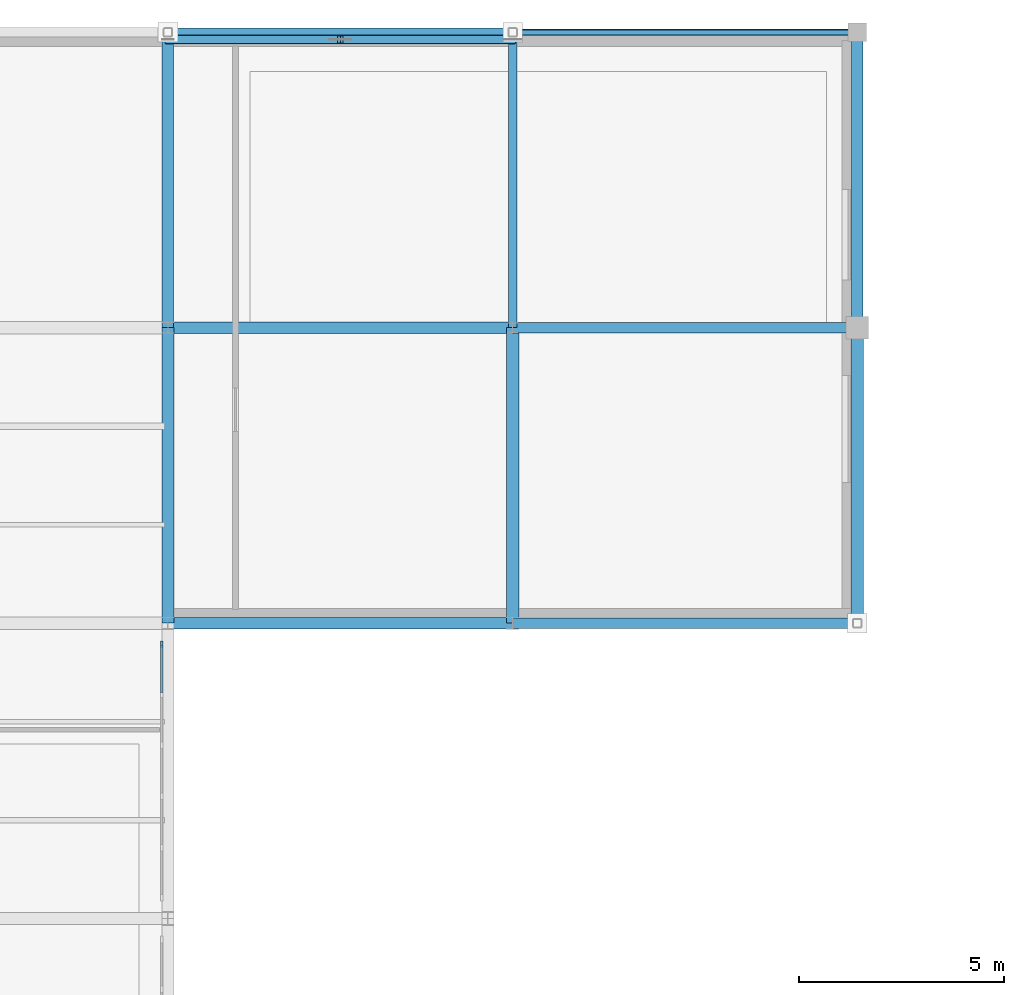
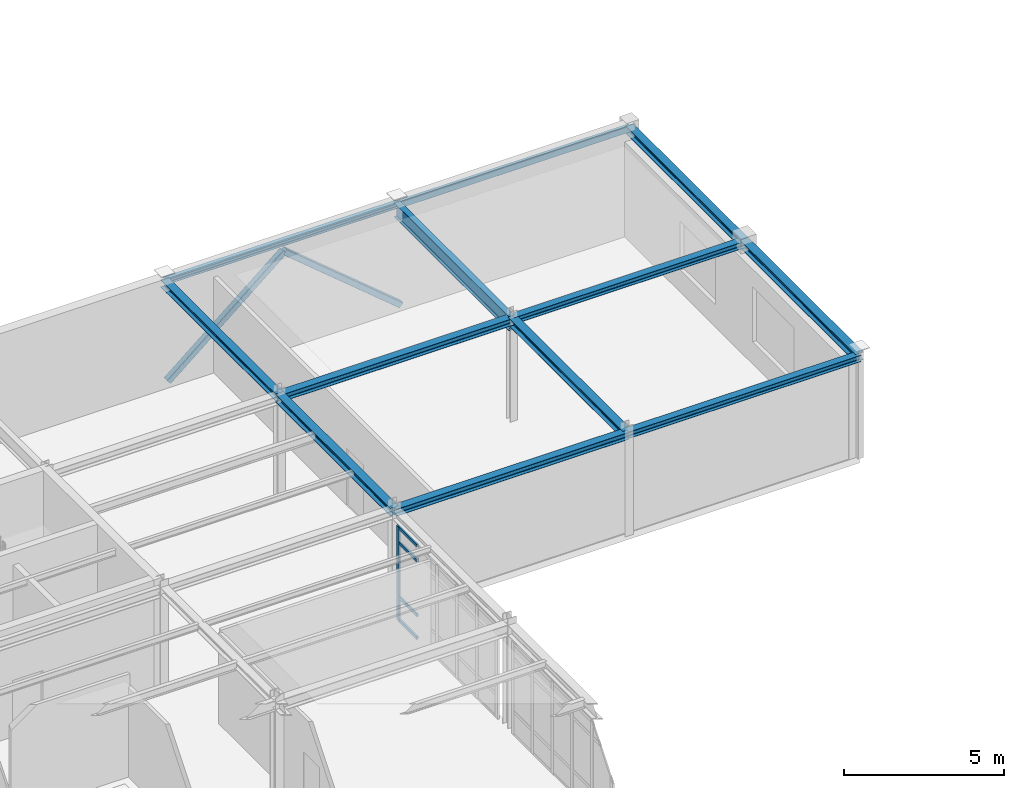
# One storey, part 46 of 90: 12 beams, 7 members, 1 element without a shape of its own.
"""IFC4 building model written with IfcOpenShell, lengths in metres."""

from ifc_helpers import new_model, si_unit, derived_unit, direction, frame, origin, origin_2d, place, context, subcontext, project, spatial, rectangle, hollow_rectangle, i_section, extrude, material, layer, layer_set, material_profile, profile_set, type_object, element, aggregate, save


model = new_model("IFC4")

# Units and contexts
model_context = context("Model", 3, precision=1e-05, world=origin(), true_north=direction((0.0, 1.0)))
body_context = subcontext(model_context, "Body", "Model", "MODEL_VIEW")
ifc_project = project(units=[si_unit("LENGTHUNIT", "METRE"), si_unit("AREAUNIT", "SQUARE_METRE"), si_unit("VOLUMEUNIT", "CUBIC_METRE"), si_unit("PLANEANGLEUNIT", "RADIAN"), si_unit("MASSUNIT", "GRAM", prefix="KILO"), derived_unit("THERMALTRANSMITTANCEUNIT", [(si_unit("POWERUNIT", "WATT"), 1), (si_unit("AREAUNIT", "SQUARE_METRE"), -1), (si_unit("THERMODYNAMICTEMPERATUREUNIT", "KELVIN"), -1)])], contexts=[model_context])

# Site, building, storey
site_placement = place(None, origin())
site = spatial("IfcSite", under=ifc_project, at=site_placement, CompositionType="ELEMENT")
building_placement = place(site_placement, origin())
building = spatial("IfcBuilding", under=site, at=building_placement, Name="Yasenodar Specialist Clinic", CompositionType="ELEMENT")
storey_placement = place(building_placement, frame((0.0, 0.0, 9.0)))
storey = spatial("IfcBuildingStorey", under=building, at=storey_placement, Name="L02", CompositionType="ELEMENT", Elevation=9.0)

# Beams
ifc_material_1 = material(Name="Steel S355", Category="steel")
ifc_material_profile_1 = material_profile(ifc_material_1, i_section(OverallWidth=0.260009765625, OverallDepth=0.25, WebThickness=0.007568359375, FlangeThickness=0.012451171875, FilletRadius=0.02392578125, at=origin_2d()), Name="HEA 260")
ifc_profile_set_1 = profile_set([ifc_material_profile_1], Name="Steel S355")
beam_type_1 = type_object("IfcBeamType", Name="BM-HEA260", PredefinedType="BEAM", material=ifc_profile_set_1)
for number, where, z_axis, x_axis, name in (
    (1, (25.199951171875, 97.199951171875, 3.824951171875), (1.0, 0.0, 0.0), (0.0, 1.0, 0.0), "L02 Primary E-W Girder"),
    (2, (25.199951171875, 104.39990234375, 3.824951171875), (1.0, 0.0, 0.0), (0.0, 1.0, 0.0), "L02 Primary E-W Girder"),
):
    element("IfcBeam", number, at=place(storey_placement, frame(where, z_axis=z_axis, x_axis=x_axis)), inside=storey, type_object=beam_type_1, Name=name, PredefinedType="BEAM", context=body_context, shape_type="SweptSolid", body=[
        extrude(i_section(OverallWidth=0.260009765625, OverallDepth=0.25, WebThickness=0.007568359375, FlangeThickness=0.012451171875, FilletRadius=0.02392578125, at=origin_2d()), origin(), (0.0, 0.0, 1.0), 8.400146484375),
    ])
ifc_material_profile_2 = material_profile(ifc_material_1, i_section(OverallWidth=0.280029296875, OverallDepth=0.27001953125, WebThickness=0.008056640625, FlangeThickness=0.012939453125, FilletRadius=0.02392578125, at=origin_2d()), Name="HEA 280")
ifc_profile_set_2 = profile_set([ifc_material_profile_2], Name="Steel S355")
beam_type_2 = type_object("IfcBeamType", Name="BM-HEA280", PredefinedType="BEAM", material=ifc_profile_set_2)
for number, where, z_axis, x_axis, name in (
    (3, (16.800048828125, 97.199951171875, 3.81494140625), (1.0, 0.0, 0.0), (0.0, 1.0, 0.0), "L02 Primary E-W Girder"),
    (4, (16.800048828125, 104.39990234375, 3.81494140625), (1.0, 0.0, 0.0), (0.0, 1.0, 0.0), "L02 Primary E-W Girder"),
):
    element("IfcBeam", number, at=place(storey_placement, frame(where, z_axis=z_axis, x_axis=x_axis)), inside=storey, type_object=beam_type_2, Name=name, PredefinedType="BEAM", context=body_context, shape_type="SweptSolid", body=[
        extrude(i_section(OverallWidth=0.280029296875, OverallDepth=0.27001953125, WebThickness=0.008056640625, FlangeThickness=0.012939453125, FilletRadius=0.02392578125, at=origin_2d()), origin(), (0.0, 0.0, 1.0), 8.39990234375),
    ])
ifc_material_profile_3 = material_profile(ifc_material_1, i_section(OverallWidth=0.300048828125, OverallDepth=0.2900390625, WebThickness=0.008544921875, FlangeThickness=0.013916015625, FilletRadius=0.027099609375, at=origin_2d()), Name="HEA 300")
ifc_profile_set_3 = profile_set([ifc_material_profile_3], Name="Steel S355")
beam_type_3 = type_object("IfcBeamType", Name="BM-HEA300", PredefinedType="BEAM", material=ifc_profile_set_3)
beam_1_placement = place(storey_placement, frame((25.199951171875, 97.199951171875, 3.804931640625), z_axis=(0.0, 1.0, 0.0), x_axis=(-1.0, 0.0, 0.0)))
element("IfcBeam", 5, at=beam_1_placement, inside=storey, type_object=beam_type_3, Name="L02 Primary N-S Girder", PredefinedType="BEAM", context=body_context, shape_type="SweptSolid", body=[
    extrude(i_section(OverallWidth=0.300048828125, OverallDepth=0.2900390625, WebThickness=0.008544921875, FlangeThickness=0.013916015625, FilletRadius=0.027099609375, at=origin_2d()), origin(), (0.0, 0.0, 1.0), 7.199951171875),
])
ifc_material_profile_4 = material_profile(ifc_material_1, i_section(OverallWidth=0.280029296875, OverallDepth=0.280029296875, WebThickness=0.010498046875, FlangeThickness=0.01806640625, FilletRadius=0.02392578125, at=origin_2d()), Name="HEB 280")
ifc_profile_set_4 = profile_set([ifc_material_profile_4], Name="Steel S355")
beam_type_4 = type_object("IfcBeamType", Name="BM-HEB280", PredefinedType="BEAM", material=ifc_profile_set_4)
for number, where, z_axis, x_axis, name in (
    (6, (16.800048828125, 104.39990234375, 3.81005859375), (0.0, 1.0, 0.0), (-1.0, 0.0, 0.0), "L02 Primary N-S Girder"),
    (7, (33.60009765625, 104.39990234375, 3.81005859375), (0.0, 1.0, 0.0), (-1.0, 0.0, 0.0), "L02 Primary N-S Girder"),
):
    element("IfcBeam", number, at=place(storey_placement, frame(where, z_axis=z_axis, x_axis=x_axis)), inside=storey, type_object=beam_type_4, Name=name, PredefinedType="BEAM", context=body_context, shape_type="SweptSolid", body=[
        extrude(i_section(OverallWidth=0.280029296875, OverallDepth=0.280029296875, WebThickness=0.010498046875, FlangeThickness=0.01806640625, FilletRadius=0.02392578125, at=origin_2d()), origin(), (0.0, 0.0, 1.0), 7.2001953125),
    ])
ifc_material_profile_5 = material_profile(ifc_material_1, i_section(OverallWidth=0.300048828125, OverallDepth=0.300048828125, WebThickness=0.010986328125, FlangeThickness=0.01904296875, FilletRadius=0.027099609375, at=origin_2d()), Name="HEB 300")
ifc_profile_set_5 = profile_set([ifc_material_profile_5], Name="Steel S355")
beam_type_5 = type_object("IfcBeamType", Name="BM-HEB300", PredefinedType="BEAM", material=ifc_profile_set_5)
for number, where, z_axis, x_axis, name in (
    (8, (16.800048828125, 97.199951171875, 3.800048828125), (0.0, 1.0, 0.0), (-1.0, 0.0, 0.0), "L02 Primary N-S Girder"),
    (9, (33.60009765625, 97.199951171875, 3.800048828125), (0.0, 1.0, 0.0), (-1.0, 0.0, 0.0), "L02 Primary N-S Girder"),
):
    element("IfcBeam", number, at=place(storey_placement, frame(where, z_axis=z_axis, x_axis=x_axis)), inside=storey, type_object=beam_type_5, Name=name, PredefinedType="BEAM", context=body_context, shape_type="SweptSolid", body=[
        extrude(i_section(OverallWidth=0.300048828125, OverallDepth=0.300048828125, WebThickness=0.010986328125, FlangeThickness=0.01904296875, FilletRadius=0.027099609375, at=origin_2d()), origin(), (0.0, 0.0, 1.0), 7.199951171875),
    ])
ifc_material_profile_6 = material_profile(ifc_material_1, i_section(OverallWidth=0.2099609375, OverallDepth=0.550048828125, WebThickness=0.010986328125, FlangeThickness=0.01708984375, FilletRadius=0.02392578125, at=origin_2d()), Name="IPE 550")
ifc_profile_set_6 = profile_set([ifc_material_profile_6], Name="Steel S355")
beam_type_6 = type_object("IfcBeamType", Name="BM-IPE550", PredefinedType="BEAM", material=ifc_profile_set_6)
beam_2_placement = place(storey_placement, frame((25.199951171875, 104.39990234375, 3.675048828125), z_axis=(0.0, 1.0, 0.0), x_axis=(-1.0, 0.0, 0.0)))
element("IfcBeam", 10, at=beam_2_placement, inside=storey, type_object=beam_type_6, Name="L02 Primary N-S Girder", PredefinedType="BEAM", context=body_context, shape_type="SweptSolid", body=[
    extrude(i_section(OverallWidth=0.2099609375, OverallDepth=0.550048828125, WebThickness=0.010986328125, FlangeThickness=0.01708984375, FilletRadius=0.02392578125, at=origin_2d()), origin(), (0.0, 0.0, 1.0), 7.2001953125),
])

# Members
ifc_material_profile_7 = material_profile(ifc_material_1, hollow_rectangle(XDim=0.219970703125, YDim=0.219970703125, WallThickness=0.012451171875, InnerFilletRadius=0.018798828125, OuterFilletRadius=0.03125, at=origin_2d()), Name="SHS 220x220x12.5")
ifc_profile_set_7 = profile_set([ifc_material_profile_7], Name="Steel S355")
member_type_1 = type_object("IfcMemberType", Name="BR-LAT-SHS220", PredefinedType="BRACE", material=ifc_profile_set_7)
for number, where, z_axis, x_axis, name in (
    (11, (16.800048828125, 111.425048828125, 0.14990234375), (0.768217619255, 0.0, 0.64018879205), (0.0, 1.0, 0.0), "L02 Lateral Chevron Brace 03A"),
    (12, (25.199951171875, 111.425048828125, 0.14990234375), (-0.768217619255, 0.0, 0.64018879205), (0.0, -1.0, 0.0), "L02 Lateral Chevron Brace 03B"),
):
    element("IfcMember", number, at=place(storey_placement, frame(where, z_axis=z_axis, x_axis=x_axis)), inside=storey, type_object=member_type_1, Name=name, PredefinedType="BRACE", context=body_context, shape_type="SweptSolid", body=[
        extrude(hollow_rectangle(XDim=0.219970703125, YDim=0.219970703125, WallThickness=0.012451171875, InnerFilletRadius=0.018798828125, OuterFilletRadius=0.03125, at=origin_2d()), origin(), (0.0, 0.0, 1.0), 5.467041015625),
    ])

# Curtain wall, members
ifc_material_2 = material(Name="Bronze Anodized Aluminium and Triple Low-E Glass", Category="aluminium")
ifc_layer = layer(ifc_material_2, 0.202880859375)
ifc_layer_set = layer_set([ifc_layer], Name="Bronze Anodized Aluminium and Triple Low-E Glass")
curtain_wall_type = type_object("IfcCurtainWallType", Name="CW-SYS-04", PredefinedType="USERDEFINED", material=ifc_layer_set)
curtain_wall_placement = place(storey_placement, origin())
curtain_wall = element("IfcCurtainWall", 13, at=curtain_wall_placement, inside=storey, type_object=curtain_wall_type, Name="L02 Unitised Curtain Wall 126", ObjectType="UNITISED CURTAIN WALL", PredefinedType="USERDEFINED")
ifc_material_3 = material(Name="Bronze Anodized Aluminium", Category="aluminium")
ifc_material_profile_8 = material_profile(ifc_material_3, rectangle(XDim=0.06005859375, YDim=0.159912109375, at=origin_2d()), Name="CW-MULL 60x160")
ifc_profile_set_8 = profile_set([ifc_material_profile_8], Name="Bronze Anodized Aluminium")
member_type_2 = type_object("IfcMemberType", Name="CW-MULL-160", PredefinedType="MULLION", material=ifc_profile_set_8)
member_1_placement = place(storey_placement, frame((16.64990234375, 96.68994140625, 0.0), z_axis=(0.0, 0.0, 1.0), x_axis=(1.0, 0.0, 0.0)))
member_1 = element("IfcMember", 14, at=member_1_placement, type_object=member_type_2, Name="CW-04 mullion 1", PredefinedType="MULLION", context=body_context, shape_type="SweptSolid", body=[
    extrude(rectangle(XDim=0.06005859375, YDim=0.159912109375, at=origin_2d()), origin(), (0.0, 0.0, 1.0), 3.587890625),
])
ifc_material_profile_9 = material_profile(ifc_material_3, rectangle(XDim=0.06005859375, YDim=0.1201171875, at=origin_2d()), Name="CW-TRAN 60x120")
ifc_profile_set_9 = profile_set([ifc_material_profile_9], Name="Bronze Anodized Aluminium")
member_type_3 = type_object("IfcMemberType", Name="CW-TRAN-120", PredefinedType="USERDEFINED", material=ifc_profile_set_9)
member_2_placement = place(storey_placement, frame((16.64990234375, 96.659912109375, 0.030029296875), z_axis=(0.0, -1.0, 0.0), x_axis=(1.0, 0.0, 0.0)))
member_2 = element("IfcMember", 15, at=member_2_placement, type_object=member_type_3, Name="CW-04 transom 1.1", ObjectType="TRANSOM", PredefinedType="USERDEFINED", context=body_context, shape_type="SweptSolid", body=[
    extrude(rectangle(XDim=0.06005859375, YDim=0.1201171875, at=origin_2d()), origin(), (0.0, 0.0, 1.0), 1.157958984375),
])
member_3_placement = place(storey_placement, frame((16.64990234375, 96.659912109375, 0.89990234375), z_axis=(0.0, -1.0, 0.0), x_axis=(1.0, 0.0, 0.0)))
member_3 = element("IfcMember", 16, at=member_3_placement, type_object=member_type_3, Name="CW-04 transom 1.2", ObjectType="TRANSOM", PredefinedType="USERDEFINED", context=body_context, shape_type="SweptSolid", body=[
    extrude(rectangle(XDim=0.06005859375, YDim=0.1201171875, at=origin_2d()), origin(), (0.0, 0.0, 1.0), 1.157958984375),
])
member_4_placement = place(storey_placement, frame((16.64990234375, 96.659912109375, 2.988037109375), z_axis=(0.0, -1.0, 0.0), x_axis=(1.0, 0.0, 0.0)))
member_4 = element("IfcMember", 17, at=member_4_placement, type_object=member_type_3, Name="CW-04 transom 1.3", ObjectType="TRANSOM", PredefinedType="USERDEFINED", context=body_context, shape_type="SweptSolid", body=[
    extrude(rectangle(XDim=0.06005859375, YDim=0.1201171875, at=origin_2d()), origin(), (0.0, 0.0, 1.0), 1.157958984375),
])
member_5_placement = place(storey_placement, frame((16.64990234375, 96.659912109375, 3.55810546875), z_axis=(0.0, -1.0, 0.0), x_axis=(1.0, 0.0, 0.0)))
member_5 = element("IfcMember", 18, at=member_5_placement, type_object=member_type_3, Name="CW-04 transom 1.4", ObjectType="TRANSOM", PredefinedType="USERDEFINED", context=body_context, shape_type="SweptSolid", body=[
    extrude(rectangle(XDim=0.06005859375, YDim=0.1201171875, at=origin_2d()), origin(), (0.0, 0.0, 1.0), 1.157958984375),
])
aggregate(curtain_wall, [member_1, member_2, member_3, member_4, member_5])

# Beams
ifc_material_profile_10 = material_profile(ifc_material_1, i_section(OverallWidth=0.199951171875, OverallDepth=0.18994140625, WebThickness=0.006591796875, FlangeThickness=0.010009765625, FilletRadius=0.01806640625, at=origin_2d()), Name="HEA 200")
ifc_profile_set_10 = profile_set([ifc_material_profile_10], Name="Steel S355")
beam_type_7 = type_object("IfcBeamType", Name="SP-HEA200", PredefinedType="SPANDREL", material=ifc_profile_set_10)
beam_3_placement = place(storey_placement, frame((16.800048828125, 111.60009765625, 3.85498046875), z_axis=(1.0, 0.0, 0.0), x_axis=(0.0, 1.0, 0.0)))
element("IfcBeam", 19, at=beam_3_placement, inside=storey, type_object=beam_type_7, Name="L02 Perimeter Spandrel Beam", PredefinedType="SPANDREL", context=body_context, shape_type="SweptSolid", body=[
    extrude(i_section(OverallWidth=0.199951171875, OverallDepth=0.18994140625, WebThickness=0.006591796875, FlangeThickness=0.010009765625, FilletRadius=0.01806640625, at=origin_2d()), origin(), (0.0, 0.0, 1.0), 8.39990234375),
])
ifc_material_profile_11 = material_profile(ifc_material_1, hollow_rectangle(XDim=0.14990234375, YDim=0.25, WallThickness=0.010009765625, InnerFilletRadius=0.014892578125, OuterFilletRadius=0.02490234375, at=origin_2d()), Name="RHS 250x150x10")
ifc_profile_set_11 = profile_set([ifc_material_profile_11], Name="Steel S355")
beam_type_8 = type_object("IfcBeamType", Name="SP-RHS250", PredefinedType="SPANDREL", material=ifc_profile_set_11)
beam_4_placement = place(storey_placement, frame((25.199951171875, 111.60009765625, 3.824951171875), z_axis=(1.0, 0.0, 0.0), x_axis=(0.0, 1.0, 0.0)))
element("IfcBeam", 20, at=beam_4_placement, inside=storey, type_object=beam_type_8, Name="L02 Perimeter Spandrel Beam", PredefinedType="SPANDREL", context=body_context, shape_type="SweptSolid", body=[
    extrude(hollow_rectangle(XDim=0.14990234375, YDim=0.25, WallThickness=0.010009765625, InnerFilletRadius=0.014892578125, OuterFilletRadius=0.02490234375, at=origin_2d()), origin(), (0.0, 0.0, 1.0), 8.400146484375),
])

save(model, "model.ifc")
